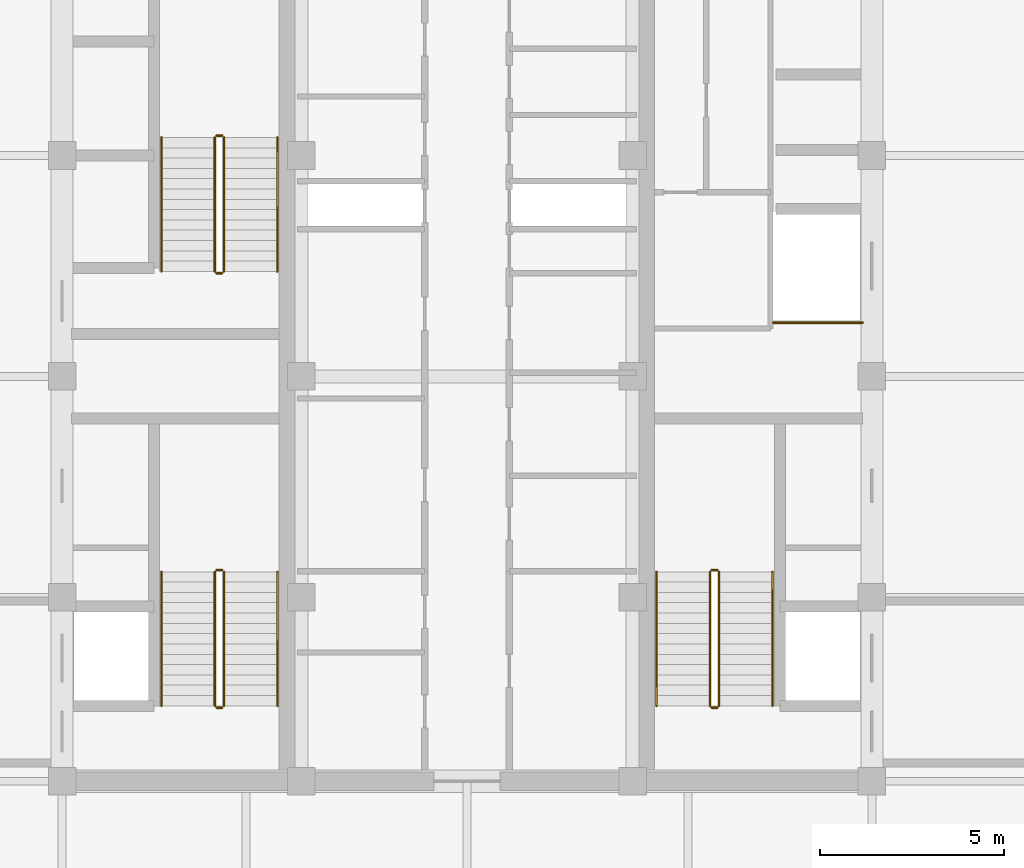
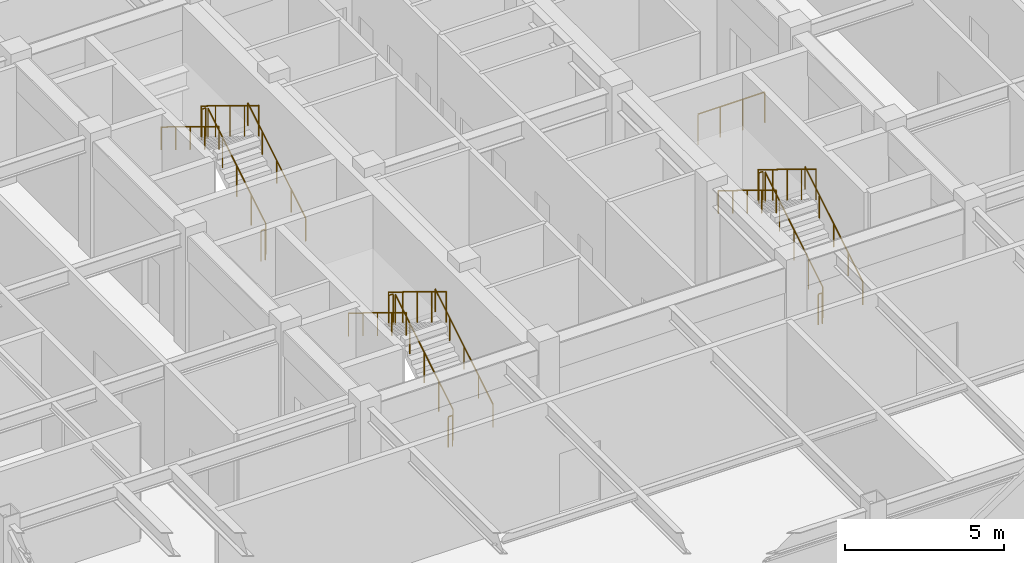
# One storey, part 27 of 27: 19 railings.
"""IFC4 building model written with IfcOpenShell, lengths in metres."""

import ifcopenshell
import ifcopenshell.guid

model = None  # the IFC model being written
_history = None  # IfcOwnerHistory: only IFC2X3 demands one
_inside = {}  # id of a spatial element -> (the spatial element, [elements in it])
_under = {}  # id of a project, library or spatial element -> (it, [spatial elements below it])
_declared = {}  # id of a project -> (the project, [libraries it declares])
_typed = {}  # id of a type object -> (the type object, [elements of that type])
_made_of = {}  # id of a material, layer set ... -> (it, [elements and type objects made of it])


def new_model(schema):
    """Start an empty IFC model of exactly this schema.

    Asked for "IFC4X3", IfcOpenShell would pick the latest addendum, in which some entities
    have other attributes; the version numbers below select the first issue.
    IFC2X3 requires an IfcOwnerHistory on every rooted entity: one is made here for all.
    """
    global model, _history
    if schema == "IFC4X3":
        model = ifcopenshell.file(schema_version=(4, 3, 0, 0))
    else:
        model = ifcopenshell.file(schema=schema)
    _inside.clear()
    _under.clear()
    _declared.clear()
    _typed.clear()
    _made_of.clear()
    _history = None
    if model.schema == "IFC2X3":
        org = make("IfcOrganization", Name="unknown")
        user = make(
            "IfcPersonAndOrganization",
            ThePerson=make("IfcPerson", FamilyName="unknown"),
            TheOrganization=org,
        )
        app = make(
            "IfcApplication",
            ApplicationDeveloper=org,
            Version="unknown",
            ApplicationFullName="unknown",
            ApplicationIdentifier="unknown",
        )
        _history = make(
            "IfcOwnerHistory",
            OwningUser=user,
            OwningApplication=app,
            ChangeAction="ADDED",
            CreationDate=0,
        )
    return model


def make(cls, **values):
    """One entity of the class cls with the attributes given. An attribute that is None is left unset."""
    return model.create_entity(
        cls, **{name: value for name, value in values.items() if value is not None}
    )


def rooted(cls, **values):
    """An entity with a GlobalId (a new one), such as an element, a storey or a relation."""
    return make(cls, GlobalId=ifcopenshell.guid.new(), OwnerHistory=_history, **values)


def si_unit(unit_type, name, prefix=None):
    """IfcSIUnit, for example si_unit("LENGTHUNIT", "METRE", prefix="MILLI")."""
    return make("IfcSIUnit", UnitType=unit_type, Prefix=prefix, Name=name)


def assignment(units):
    """IfcUnitAssignment: the units of a project."""
    return None if units is None else make("IfcUnitAssignment", Units=units)


def point(xyz):
    """IfcCartesianPoint."""
    return None if xyz is None else make("IfcCartesianPoint", Coordinates=xyz)


def direction(xyz):
    """IfcDirection."""
    return None if xyz is None else make("IfcDirection", DirectionRatios=xyz)


def frame(location, z_axis=None, x_axis=None):
    """IfcAxis2Placement3D, a coordinate frame: its origin and axes. An axis left out is left unset."""
    return make(
        "IfcAxis2Placement3D",
        Location=point(location),
        Axis=direction(z_axis),
        RefDirection=direction(x_axis),
    )


def frame_2d(location, x_axis=None):
    """IfcAxis2Placement2D, a coordinate frame in the plane: its origin and x axis."""
    return make(
        "IfcAxis2Placement2D", Location=point(location), RefDirection=direction(x_axis)
    )


def origin():
    """The frame at (0, 0, 0) with its axes left unset."""
    return frame((0.0, 0.0, 0.0))


def origin_2d():
    """The frame at (0, 0) in the plane with its x axis left unset."""
    return frame_2d((0.0, 0.0))


def place(relative_to, where):
    """IfcLocalPlacement: puts the frame where relative to a parent placement (None: the world)."""
    return make(
        "IfcLocalPlacement", PlacementRelTo=relative_to, RelativePlacement=where
    )


def context(
    kind, dimensions, precision=None, world=None, true_north=None, identifier=None
):
    """IfcGeometricRepresentationContext, for example the 3D "Model" context."""
    return make(
        "IfcGeometricRepresentationContext",
        ContextIdentifier=identifier,
        ContextType=kind,
        CoordinateSpaceDimension=dimensions,
        Precision=precision,
        WorldCoordinateSystem=world,
        TrueNorth=true_north,
    )


def subcontext(parent, identifier, kind, view, scale=None):
    """IfcGeometricRepresentationSubContext, for example "Body" below "Model"."""
    return make(
        "IfcGeometricRepresentationSubContext",
        ContextIdentifier=identifier,
        ContextType=kind,
        ParentContext=parent,
        TargetScale=scale,
        TargetView=view,
    )


def project(units=None, contexts=None):
    """IfcProject with its units and contexts."""
    return rooted(
        "IfcProject",
        Name="project",
        RepresentationContexts=contexts,
        UnitsInContext=assignment(units),
    )


def spatial(cls, under=None, at=None, **own):
    """A site, building, storey or space (cls), placed at a placement, below another one or the project."""
    s = rooted(cls, ObjectPlacement=at, **own)
    if under is not None:
        _under.setdefault(under.id(), (under, []))[1].append(s)
    return s


def profile(cls, at=None, kind="AREA", **sizes):
    """A parametric profile (cls). Its sizes go by their IFC names, for example OverallWidth=200.0."""
    return make(cls, ProfileType=kind, Position=at, **sizes)


def circle(**sizes):
    """IfcCircleProfileDef."""
    return profile("IfcCircleProfileDef", **sizes)


def extrude(swept, where, along, depth):
    """IfcExtrudedAreaSolid: the profile swept, set in the frame where, extruded along a direction by depth."""
    return make(
        "IfcExtrudedAreaSolid",
        SweptArea=swept,
        Position=where,
        ExtrudedDirection=direction(along),
        Depth=depth,
    )


def shape(context_of_items, identifier, shape_type, items):
    """IfcShapeRepresentation: the items that make up one representation, for example the "Body"."""
    return make(
        "IfcShapeRepresentation",
        ContextOfItems=context_of_items,
        RepresentationIdentifier=identifier,
        RepresentationType=shape_type,
        Items=items,
    )


def source(mapping_origin, context_of_items, identifier, shape_type, items):
    """IfcRepresentationMap: a shape defined once, which mapped items show again and again."""
    return make(
        "IfcRepresentationMap",
        MappingOrigin=mapping_origin,
        MappedRepresentation=shape(context_of_items, identifier, shape_type, items),
    )


def transform(
    local_origin,
    x_axis=None,
    y_axis=None,
    z_axis=None,
    scale=None,
    scale2=None,
    scale3=None,
    uniform=True,
):
    """IfcCartesianTransformationOperator3D, or its non-uniform kind. x_axis, y_axis, z_axis: its Axis1, 2, 3."""
    if uniform:
        return make(
            "IfcCartesianTransformationOperator3D",
            Axis1=direction(x_axis),
            Axis2=direction(y_axis),
            LocalOrigin=point(local_origin),
            Scale=scale,
            Axis3=direction(z_axis),
        )
    return make(
        "IfcCartesianTransformationOperator3DnonUniform",
        Axis1=direction(x_axis),
        Axis2=direction(y_axis),
        LocalOrigin=point(local_origin),
        Scale=scale,
        Axis3=direction(z_axis),
        Scale2=scale2,
        Scale3=scale3,
    )


def mapped(mapping_source, mapping_target):
    """IfcMappedItem: shows the shape of a source again, moved by a transform."""
    return make(
        "IfcMappedItem", MappingSource=mapping_source, MappingTarget=mapping_target
    )


def material(Name=None, Category=None):
    """IfcMaterial."""
    return make("IfcMaterial", Name=Name, Category=Category)


def made_of(thing, what):
    """Note that an element or type object is made of a material, layer set ...; save() writes the relation."""
    if what is not None:
        _made_of.setdefault(what.id(), (what, []))[1].append(thing)
    return thing


def type_object(cls, material=None, **own):
    """A type object (cls), such as IfcWallType, which elements share."""
    return made_of(rooted(cls, **own), material)


def element(
    cls,
    number,
    at=None,
    inside=None,
    cuts=None,
    type_object=None,
    material=None,
    context=None,
    identifier="Body",
    shape_type=None,
    held_by="IfcProductDefinitionShape",
    body=None,
    shapes=None,
    **own,
):
    """One element of the class cls, such as IfcWall. Its Tag is "e" and its number.

    at: its placement. inside: the storey or other place that contains it. cuts: it is an
    opening in that element (IfcRelVoidsElement). A single representation is given by context,
    identifier, shape_type and body (its items); several are given by shapes. held_by: the class
    of the entity that holds the representations. save() writes the other relations.
    """
    e = rooted(cls, Tag="e%d" % number, ObjectPlacement=at, **own)
    if body is not None:
        shapes = [shape(context, identifier, shape_type, body)]
    if shapes is not None:
        e.Representation = make(held_by, Representations=shapes)
    if inside is not None:
        _inside.setdefault(inside.id(), (inside, []))[1].append(e)
    if cuts is not None:
        rooted(
            "IfcRelVoidsElement", RelatingBuildingElement=cuts, RelatedOpeningElement=e
        )
    if type_object is not None:
        _typed.setdefault(type_object.id(), (type_object, []))[1].append(e)
    return made_of(e, material)


def aggregate(whole, parts):
    """IfcRelAggregates: a whole, such as a stair, and the parts it consists of."""
    return rooted("IfcRelAggregates", RelatingObject=whole, RelatedObjects=parts)


def save(model, path):
    """Write the relations noted so far, then the file.

    IfcRelAggregates (storeys below a building ...), IfcRelContainedInSpatialStructure (elements
    in a storey), IfcRelDefinesByType, IfcRelAssociatesMaterial and IfcRelDeclares: one each for
    every whole, place, type object, material and project.
    """
    for whole, parts in _under.values():
        aggregate(whole, parts)
    for where, things in _inside.values():
        rooted(
            "IfcRelContainedInSpatialStructure",
            RelatedElements=things,
            RelatingStructure=where,
        )
    for kind, things in _typed.values():
        rooted("IfcRelDefinesByType", RelatedObjects=things, RelatingType=kind)
    for what, things in _made_of.values():
        rooted("IfcRelAssociatesMaterial", RelatedObjects=things, RelatingMaterial=what)
    for by, libraries in _declared.values():
        rooted("IfcRelDeclares", RelatingContext=by, RelatedDefinitions=libraries)
    model.write(path)


model = new_model("IFC4")

# Units and contexts
model_context = context("Model", 3, precision=1e-05, world=origin(), true_north=direction((0.0, 1.0)))
body_context = subcontext(model_context, "Body", "Model", "MODEL_VIEW")
ifc_project = project(units=[si_unit("LENGTHUNIT", "METRE"), si_unit("AREAUNIT", "SQUARE_METRE"), si_unit("VOLUMEUNIT", "CUBIC_METRE"), si_unit("PLANEANGLEUNIT", "RADIAN"), si_unit("MASSUNIT", "GRAM", prefix="KILO")], contexts=[model_context])

# Site, building, storey
site_placement = place(None, origin())
site = spatial("IfcSite", under=ifc_project, at=site_placement, CompositionType="ELEMENT")
building_placement = place(site_placement, origin())
building = spatial("IfcBuilding", under=site, at=building_placement, Name="Khorayat Bourse Tower", CompositionType="ELEMENT")
storey_placement = place(building_placement, frame((0.0, 0.0, 389.89990234375)))
storey = spatial("IfcBuildingStorey", under=building, at=storey_placement, Name="L92", CompositionType="ELEMENT", Elevation=389.89990234375)

# Railings
ifc_material_1 = material(Name="Powder-coated steel balustrade", Category="steel")
railing_type_1 = type_object("IfcRailingType", Name="RLG-GUARD-1200", PredefinedType="GUARDRAIL", material=ifc_material_1)
shared_shape_1 = source(origin(), body_context, "Body", "SweptSolid", [
    extrude(circle(Radius=0.02392578125, at=origin_2d()), frame((0.0, 0.0, 1.17578125), z_axis=(0.0, 0.852850264322, 0.5221555579), x_axis=(-1.0, 0.0, 0.0)), (0.0, 0.0, 1.0), 4.267822265625),
    extrude(circle(Radius=0.02099609375, at=origin_2d()), origin(), (0.0, 0.0, 1.0), 1.15185546875),
    extrude(circle(Radius=0.02099609375, at=origin_2d()), frame((0.0, 0.909912109375, 0.55712890625)), (0.0, 0.0, 1.0), 1.15185546875),
    extrude(circle(Radius=0.02099609375, at=origin_2d()), frame((0.0, 1.81982421875, 1.1142578125)), (0.0, 0.0, 1.0), 1.15185546875),
    extrude(circle(Radius=0.02099609375, at=origin_2d()), frame((0.0, 2.72998046875, 1.67138671875)), (0.0, 0.0, 1.0), 1.15185546875),
    extrude(circle(Radius=0.02099609375, at=origin_2d()), frame((0.0, 3.639892578125, 2.228515625)), (0.0, 0.0, 1.0), 1.15185546875),
])
for number, where, name in (
    (1, (-6.60009765625, -8.949951171875, 0.171630859375), "L92 ST-1 stair guard 1"),
    (2, (-6.60009765625, 2.85009765625, 0.171630859375), "L92 ST-2 stair guard 1"),
    (3, (6.85009765625, -8.949951171875, 0.171630859375), "L92 ST-3 stair guard 1"),
):
    element("IfcRailing", number, at=place(storey_placement, frame(where)), inside=storey, type_object=railing_type_1, Name=name, PredefinedType="GUARDRAIL", context=body_context, shape_type="MappedRepresentation", body=[
        mapped(shared_shape_1, transform((0.0, 0.0, 0.0), scale=1.0)),
    ])
shared_shape_2 = source(origin(), body_context, "Body", "SweptSolid", [
    extrude(circle(Radius=0.02392578125, at=origin_2d()), frame((0.0, 0.0, 1.17578125), z_axis=(-1.0, 0.0, 0.0), x_axis=(0.0, -1.0, 0.0)), (0.0, 0.0, 1.0), 0.150146484375),
    extrude(circle(Radius=0.02099609375, at=origin_2d()), origin(), (0.0, 0.0, 1.0), 1.15185546875),
    extrude(circle(Radius=0.02099609375, at=origin_2d()), frame((-0.150146484375, 0.0, 0.0)), (0.0, 0.0, 1.0), 1.15185546875),
])
for number, where, name in (
    (4, (-6.64990234375, -5.260009765625, 2.400146484375), "L92 ST-1 stair guard 2"),
    (5, (-6.64990234375, -9.0, 0.0), "L92 ST-1 stair guard 4"),
    (6, (-6.64990234375, 6.5400390625, 2.400146484375), "L92 ST-2 stair guard 2"),
    (7, (-6.64990234375, 2.800048828125, 0.0), "L92 ST-2 stair guard 4"),
    (8, (6.800048828125, -5.260009765625, 2.400146484375), "L92 ST-3 stair guard 2"),
    (9, (6.800048828125, -9.0, 0.0), "L92 ST-3 stair guard 4"),
):
    element("IfcRailing", number, at=place(storey_placement, frame(where)), inside=storey, type_object=railing_type_1, Name=name, PredefinedType="GUARDRAIL", context=body_context, shape_type="MappedRepresentation", body=[
        mapped(shared_shape_2, transform((0.0, 0.0, 0.0), scale=1.0)),
    ])
shared_shape_3 = source(origin(), body_context, "Body", "SweptSolid", [
    extrude(circle(Radius=0.02392578125, at=origin_2d()), frame((0.0, 0.0, 1.17578125), z_axis=(0.0, -0.852850264322, 0.5221555579), x_axis=(1.0, 0.0, 0.0)), (0.0, 0.0, 1.0), 4.267822265625),
    extrude(circle(Radius=0.02099609375, at=origin_2d()), origin(), (0.0, 0.0, 1.0), 1.15185546875),
    extrude(circle(Radius=0.02099609375, at=origin_2d()), frame((0.0, -0.909912109375, 0.55712890625)), (0.0, 0.0, 1.0), 1.15185546875),
    extrude(circle(Radius=0.02099609375, at=origin_2d()), frame((0.0, -1.81982421875, 1.1142578125)), (0.0, 0.0, 1.0), 1.15185546875),
    extrude(circle(Radius=0.02099609375, at=origin_2d()), frame((0.0, -2.72998046875, 1.67138671875)), (0.0, 0.0, 1.0), 1.15185546875),
    extrude(circle(Radius=0.02099609375, at=origin_2d()), frame((0.0, -3.639892578125, 2.228515625)), (0.0, 0.0, 1.0), 1.15185546875),
])
for number, where, name in (
    (10, (-6.85009765625, -5.31005859375, 2.571533203125), "L92 ST-1 stair guard 3"),
    (11, (-6.85009765625, 6.489990234375, 2.571533203125), "L92 ST-2 stair guard 3"),
    (12, (6.60009765625, -5.31005859375, 2.571533203125), "L92 ST-3 stair guard 3"),
):
    element("IfcRailing", number, at=place(storey_placement, frame(where)), inside=storey, type_object=railing_type_1, Name=name, PredefinedType="GUARDRAIL", context=body_context, shape_type="MappedRepresentation", body=[
        mapped(shared_shape_3, transform((0.0, 0.0, 0.0), scale=1.0)),
    ])
ifc_material_2 = material(Name="Brushed bronze stainless-steel handrail", Category="steel")
railing_type_2 = type_object("IfcRailingType", Name="RLG-HAND-900", PredefinedType="HANDRAIL", material=ifc_material_2)
shared_shape_4 = source(origin(), body_context, "Body", "SweptSolid", [
    extrude(circle(Radius=0.02392578125, at=origin_2d()), frame((0.0, 0.0, 0.8759765625), z_axis=(0.0, 0.852850264322, 0.5221555579), x_axis=(-1.0, 0.0, 0.0)), (0.0, 0.0, 1.0), 4.267822265625),
    extrude(circle(Radius=0.02099609375, at=origin_2d()), origin(), (0.0, 0.0, 1.0), 0.851806640625),
    extrude(circle(Radius=0.02099609375, at=origin_2d()), frame((0.0, 0.909912109375, 0.55712890625)), (0.0, 0.0, 1.0), 0.851806640625),
    extrude(circle(Radius=0.02099609375, at=origin_2d()), frame((0.0, 1.81982421875, 1.1142578125)), (0.0, 0.0, 1.0), 0.851806640625),
    extrude(circle(Radius=0.02099609375, at=origin_2d()), frame((0.0, 2.72998046875, 1.67138671875)), (0.0, 0.0, 1.0), 0.851806640625),
    extrude(circle(Radius=0.02099609375, at=origin_2d()), frame((0.0, 3.639892578125, 2.228515625)), (0.0, 0.0, 1.0), 0.851806640625),
])
for number, where, name in (
    (13, (-5.14990234375, -8.949951171875, 0.171630859375), "L92 ST-1 stair handrail 1"),
    (14, (-5.14990234375, 2.85009765625, 0.171630859375), "L92 ST-2 stair handrail 1"),
    (15, (8.300048828125, -8.949951171875, 0.171630859375), "L92 ST-3 stair handrail 1"),
):
    element("IfcRailing", number, at=place(storey_placement, frame(where)), inside=storey, type_object=railing_type_2, Name=name, PredefinedType="HANDRAIL", context=body_context, shape_type="MappedRepresentation", body=[
        mapped(shared_shape_4, transform((0.0, 0.0, 0.0), scale=1.0)),
    ])
shared_shape_5 = source(origin(), body_context, "Body", "SweptSolid", [
    extrude(circle(Radius=0.02392578125, at=origin_2d()), frame((0.0, 0.0, 0.8759765625), z_axis=(0.0, -0.852850264322, 0.5221555579), x_axis=(1.0, 0.0, 0.0)), (0.0, 0.0, 1.0), 4.267822265625),
    extrude(circle(Radius=0.02099609375, at=origin_2d()), origin(), (0.0, 0.0, 1.0), 0.851806640625),
    extrude(circle(Radius=0.02099609375, at=origin_2d()), frame((0.0, -0.909912109375, 0.55712890625)), (0.0, 0.0, 1.0), 0.851806640625),
    extrude(circle(Radius=0.02099609375, at=origin_2d()), frame((0.0, -1.81982421875, 1.1142578125)), (0.0, 0.0, 1.0), 0.851806640625),
    extrude(circle(Radius=0.02099609375, at=origin_2d()), frame((0.0, -2.72998046875, 1.67138671875)), (0.0, 0.0, 1.0), 0.851806640625),
    extrude(circle(Radius=0.02099609375, at=origin_2d()), frame((0.0, -3.639892578125, 2.228515625)), (0.0, 0.0, 1.0), 0.851806640625),
])
for number, where, name in (
    (16, (-8.300048828125, -5.31005859375, 2.571533203125), "L92 ST-1 stair handrail 2"),
    (17, (-8.300048828125, 6.489990234375, 2.571533203125), "L92 ST-2 stair handrail 2"),
    (18, (5.14990234375, -5.31005859375, 2.571533203125), "L92 ST-3 stair handrail 2"),
):
    element("IfcRailing", number, at=place(storey_placement, frame(where)), inside=storey, type_object=railing_type_2, Name=name, PredefinedType="HANDRAIL", context=body_context, shape_type="MappedRepresentation", body=[
        mapped(shared_shape_5, transform((0.0, 0.0, 0.0), scale=1.0)),
    ])
shared_shape_6 = source(origin(), body_context, "Body", "SweptSolid", [
    extrude(circle(Radius=0.02392578125, at=origin_2d()), frame((0.0, 0.0, 1.17578125), z_axis=(1.0, 0.0, 0.0), x_axis=(0.0, 1.0, 0.0)), (0.0, 0.0, 1.0), 2.429931640625),
    extrude(circle(Radius=0.02099609375, at=origin_2d()), origin(), (0.0, 0.0, 1.0), 1.15185546875),
    extrude(circle(Radius=0.02099609375, at=origin_2d()), frame((0.81005859375, 0.0, 0.0)), (0.0, 0.0, 1.0), 1.15185546875),
    extrude(circle(Radius=0.02099609375, at=origin_2d()), frame((1.619873046875, 0.0, 0.0)), (0.0, 0.0, 1.0), 1.15185546875),
    extrude(circle(Radius=0.02099609375, at=origin_2d()), frame((2.429931640625, 0.0, 0.0)), (0.0, 0.0, 1.0), 1.15185546875),
])
railing_placement = place(storey_placement, frame((8.320068359375, 1.4599609375, 0.0)))
element("IfcRailing", 19, at=railing_placement, inside=storey, type_object=railing_type_1, Name="L92 Goods Shaft Opening Guardrail", PredefinedType="GUARDRAIL", context=body_context, shape_type="MappedRepresentation", body=[
    mapped(shared_shape_6, transform((0.0, 0.0, 0.0), scale=1.0)),
])

save(model, "model.ifc")
